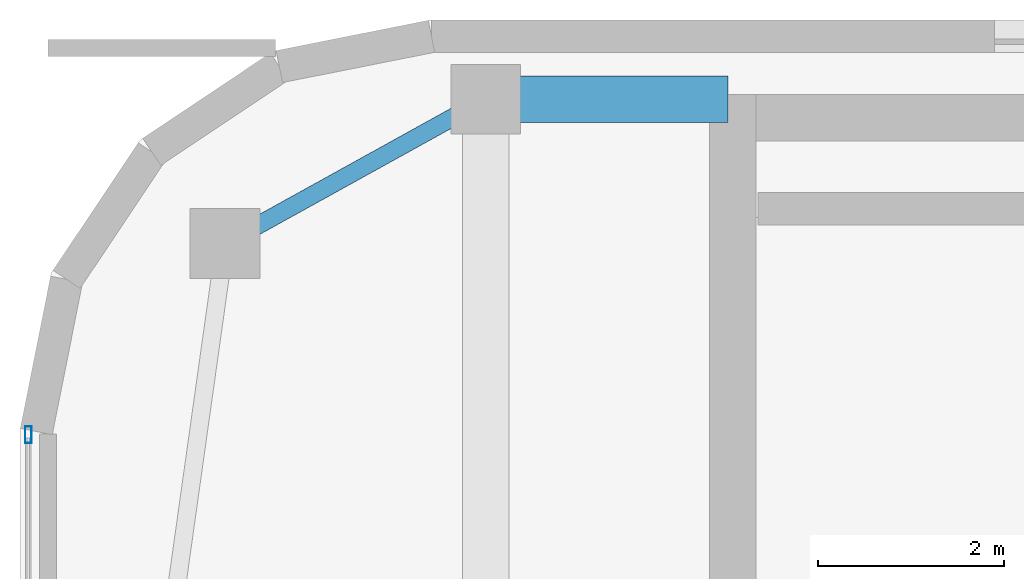
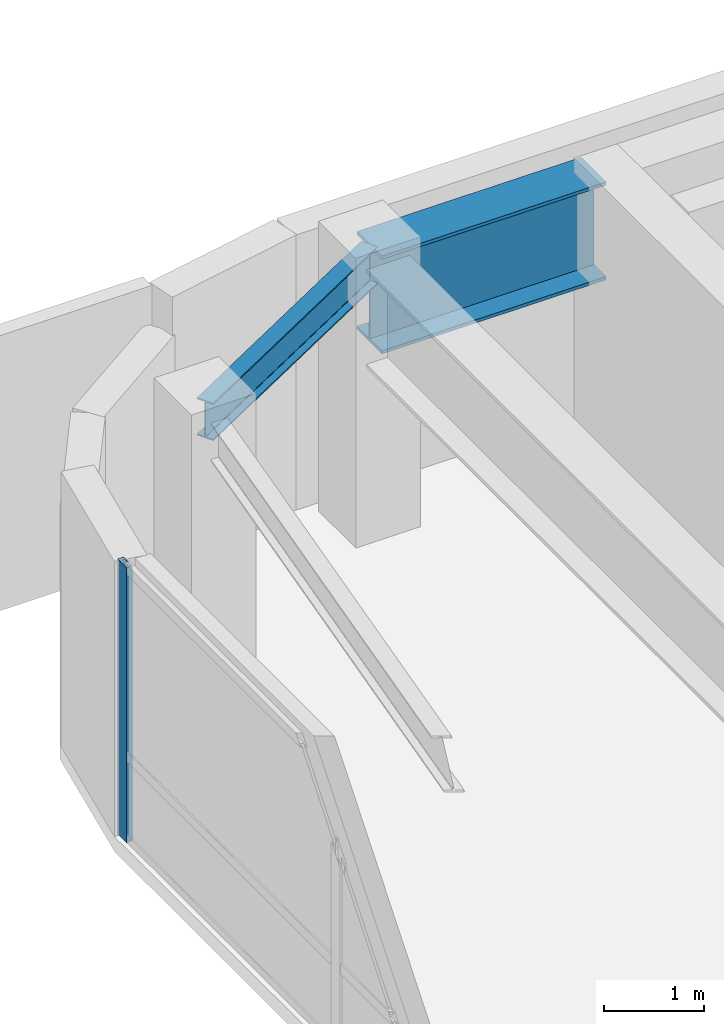
# One storey, part 13 of 19: 2 beams, 1 member, 1 element without a shape of its own.
"""IFC4 building model written with IfcOpenShell, lengths in metres."""

from ifc_helpers import new_model, si_unit, direction, frame, origin, origin_2d, place, context, subcontext, project, spatial, hollow_rectangle, i_section, extrude, source, transform, mapped, material, layer, layer_set, material_profile, profile_set, type_object, type_shapes, element, aggregate, save


model = new_model("IFC4")

# Units and contexts
model_context = context("Model", 3, precision=1e-05, world=origin(), true_north=direction((0.0, 1.0)))
body_context = subcontext(model_context, "Body", "Model", "MODEL_VIEW")
ifc_project = project(units=[si_unit("LENGTHUNIT", "METRE"), si_unit("AREAUNIT", "SQUARE_METRE"), si_unit("VOLUMEUNIT", "CUBIC_METRE"), si_unit("PLANEANGLEUNIT", "RADIAN"), si_unit("MASSUNIT", "GRAM", prefix="KILO")], contexts=[model_context])

# Site, building, storey
site_placement = place(None, origin())
site = spatial("IfcSite", under=ifc_project, at=site_placement, CompositionType="ELEMENT")
building_placement = place(site_placement, origin())
building = spatial("IfcBuilding", under=site, at=building_placement, Name="Tolvann Quenvar Hotel", CompositionType="ELEMENT")
storey_placement = place(building_placement, frame((0.0, 0.0, 223.89990234375)))
storey = spatial("IfcBuildingStorey", under=building, at=storey_placement, Name="L59", CompositionType="ELEMENT", Elevation=223.89990234375)

# Beams
ifc_material_1 = material(Name="Steel Grade 350", Category="steel")
ifc_material_profile_1 = material_profile(ifc_material_1, i_section(OverallWidth=0.5, OverallDepth=1.199951171875, WebThickness=0.01611328125, FlangeThickness=0.0400390625, at=origin_2d()), Name="1200WB455")
ifc_profile_set_1 = profile_set([ifc_material_profile_1], Name="Steel Grade 350")
beam_type_1 = type_object("IfcBeamType", Name="BM_TG_1200WB455", PredefinedType="USERDEFINED", material=ifc_profile_set_1)
shared_shape_1 = source(origin(), body_context, "Body", "SweptSolid", [
    extrude(i_section(OverallWidth=0.5, OverallDepth=1.199951171875, WebThickness=0.01611328125, FlangeThickness=0.0400390625, at=origin_2d()), origin(), (0.0, 0.0, 1.0), 2.599853515625),
])
type_shapes(beam_type_1, [shared_shape_1])
beam_1_placement = place(storey_placement, frame((7.60009765625, 45.14990234375, 2.77001953125), z_axis=(1.0, 0.0, 0.0), x_axis=(0.0, 1.0, 0.0)))
element("IfcBeam", 1, at=beam_1_placement, inside=storey, type_object=beam_type_1, Name="BM-L59-CTW-CN", ObjectType="TRANSFER GIRDER", PredefinedType="USERDEFINED", context=body_context, shape_type="MappedRepresentation", body=[
    mapped(shared_shape_1, transform((0.0, 0.0, 0.0), x_axis=(1.0, 0.0, 0.0), y_axis=(0.0, 1.0, 0.0), z_axis=(0.0, 0.0, 1.0), scale=1.0)),
])
ifc_material_profile_2 = material_profile(ifc_material_1, i_section(OverallWidth=0.19091796875, OverallDepth=0.4599609375, WebThickness=0.010009765625, FlangeThickness=0.01611328125, FilletRadius=0.011474609375, at=origin_2d()), Name="460UB82")
ifc_profile_set_2 = profile_set([ifc_material_profile_2], Name="Steel Grade 350")
beam_type_2 = type_object("IfcBeamType", Name="BM_SPAND_460UB82", PredefinedType="SPANDREL", material=ifc_profile_set_2)
shared_shape_2 = source(origin(), body_context, "Body", "SweptSolid", [
    extrude(i_section(OverallWidth=0.19091796875, OverallDepth=0.4599609375, WebThickness=0.010009765625, FlangeThickness=0.01611328125, FilletRadius=0.011474609375, at=origin_2d()), origin(), (0.0, 0.0, 1.0), 3.200439453125),
])
type_shapes(beam_type_2, [shared_shape_2])
beam_2_placement = place(storey_placement, frame((4.800048828125, 43.60009765625, 3.14013671875), z_axis=(0.87492264453, 0.48426270359, 0.0), x_axis=(-0.48426270359, 0.87492264453, 0.0)))
element("IfcBeam", 2, at=beam_2_placement, inside=storey, type_object=beam_type_2, Name="BM-L59-FLK-W3", PredefinedType="SPANDREL", context=body_context, shape_type="MappedRepresentation", body=[
    mapped(shared_shape_2, transform((0.0, 0.0, 0.0), x_axis=(1.0, 0.0, 0.0), y_axis=(0.0, 1.0, 0.0), z_axis=(0.0, 0.0, 1.0), scale=1.0)),
])

# Curtain wall, member
ifc_material_2 = material(Name="Thermally broken anodised architectural aluminium 6063-T6 and laminated low-E glass", Category="aluminium")
ifc_layer = layer(ifc_material_2, 0.179931640625)
ifc_layer_set = layer_set([ifc_layer], Name="Thermally broken anodised architectural aluminium 6063-T6 and laminated low-E glass")
curtain_wall_type = type_object("IfcCurtainWallType", Name="CW_SYS_BAND_04", PredefinedType="USERDEFINED", material=ifc_layer_set)
curtain_wall_placement = place(storey_placement, origin())
curtain_wall = element("IfcCurtainWall", 3, at=curtain_wall_placement, inside=storey, type_object=curtain_wall_type, Name="Curtain Wall CW-BAND-04 (CWR-L59-E19)", ObjectType="UNITISED CURTAIN WALL", PredefinedType="USERDEFINED")
ifc_material_3 = material(Name="Anodised architectural aluminium 6063-T6 framing", Category="aluminium")
ifc_material_profile_3 = material_profile(ifc_material_3, hollow_rectangle(XDim=0.070068359375, YDim=0.179931640625, WallThickness=0.00390625, at=origin_2d()), Name="180x70x4RHS")
ifc_profile_set_3 = profile_set([ifc_material_profile_3], Name="Anodised architectural aluminium 6063-T6 framing")
member_type = type_object("IfcMemberType", Name="CW_MULL_180x70", PredefinedType="MULLION", material=ifc_profile_set_3)
shared_shape_3 = source(origin(), body_context, "Body", "SweptSolid", [
    extrude(hollow_rectangle(XDim=0.070068359375, YDim=0.179931640625, WallThickness=0.00390625, at=origin_2d()), origin(), (0.0, 0.0, 1.0), 3.3701171875),
])
type_shapes(member_type, [shared_shape_3])
member_placement = place(storey_placement, frame((2.68994140625, 41.5478515625, 0.0), z_axis=(0.0, 0.0, 1.0), x_axis=(1.0, 0.0, 0.0)))
member = element("IfcMember", 4, at=member_placement, type_object=member_type, Name="CW-BAND-04 mullion 1", PredefinedType="MULLION", context=body_context, shape_type="MappedRepresentation", body=[
    mapped(shared_shape_3, transform((0.0, 0.0, 0.0), x_axis=(1.0, 0.0, 0.0), y_axis=(0.0, 1.0, 0.0), z_axis=(0.0, 0.0, 1.0), scale=1.0)),
])
aggregate(curtain_wall, [member])

save(model, "model.ifc")
